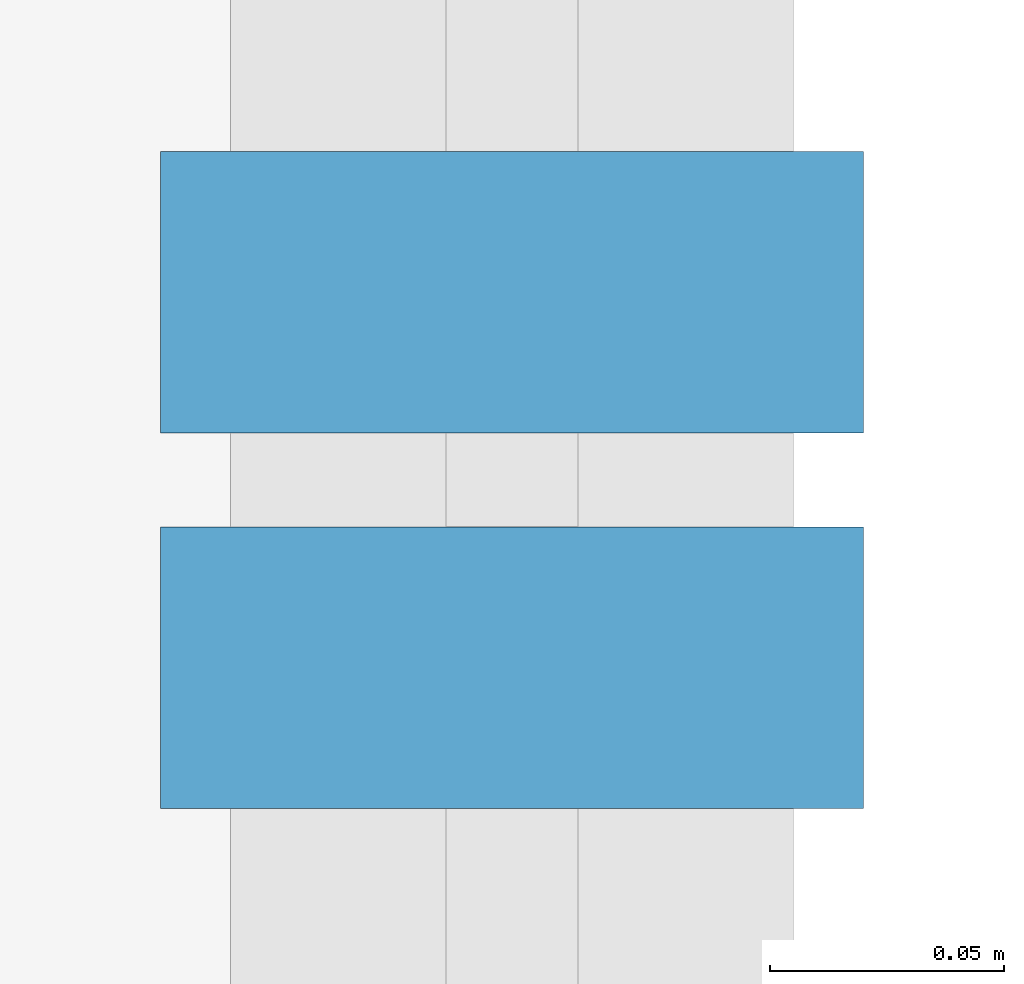
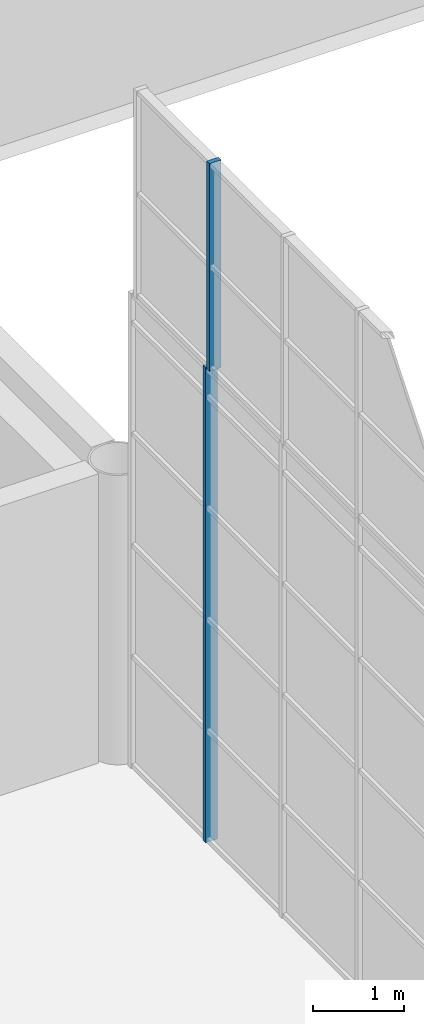
# One storey, part 22 of 95: 2 members, 2 elements without a shape of their own.
"""IFC4 building model written with IfcOpenShell, lengths in metres."""

from ifc_helpers import new_model, si_unit, direction, frame, origin, origin_2d, place, context, subcontext, project, spatial, rectangle, extrude, material, layer, layer_set, material_profile, profile_set, type_object, element, aggregate, save


model = new_model("IFC4")

# Units and contexts
model_context = context("Model", 3, precision=1e-05, world=origin(), true_north=direction((0.0, 1.0)))
body_context = subcontext(model_context, "Body", "Model", "MODEL_VIEW")
ifc_project = project(units=[si_unit("LENGTHUNIT", "METRE"), si_unit("AREAUNIT", "SQUARE_METRE"), si_unit("VOLUMEUNIT", "CUBIC_METRE"), si_unit("PLANEANGLEUNIT", "RADIAN"), si_unit("MASSUNIT", "GRAM", prefix="KILO")], contexts=[model_context])

# Site, building, storey
site_placement = place(None, origin())
site = spatial("IfcSite", under=ifc_project, at=site_placement, CompositionType="ELEMENT")
building_placement = place(site_placement, origin())
building = spatial("IfcBuilding", under=site, at=building_placement, Name="Magnolia Steps Interchange", CompositionType="ELEMENT")
storey_placement = place(building_placement, frame((0.0, 0.0, 4.800048828125)))
storey = spatial("IfcBuildingStorey", under=building, at=storey_placement, Name="L01", CompositionType="ELEMENT", Elevation=4.800048828125)

# Curtain wall, member
ifc_material_1 = material(Name="Powder-coated aluminium and glass", Category="aluminium")
ifc_layer_1 = layer(ifc_material_1, 0.14990234375)
ifc_layer_set_1 = layer_set([ifc_layer_1], Name="Glazed hall curtain wall")
curtain_wall_type_1 = type_object("IfcCurtainWallType", Name="Glazed hall curtain wall", PredefinedType="NOTDEFINED", material=ifc_layer_set_1)
curtain_wall_1_placement = place(storey_placement, origin())
curtain_wall_1 = element("IfcCurtainWall", 1, at=curtain_wall_1_placement, inside=storey, type_object=curtain_wall_type_1, Name="Hall glazing E3 L01", PredefinedType="NOTDEFINED")
ifc_material_2 = material(Name="White powder-coated aluminium", Category="aluminium")
ifc_material_profile = material_profile(ifc_material_2, rectangle(XDim=0.06005859375, YDim=0.14990234375, at=origin_2d()), Name="Aluminium mullion 60 x 150")
ifc_profile_set = profile_set([ifc_material_profile], Name="White powder-coated aluminium")
member_type = type_object("IfcMemberType", Name="Aluminium mullion 60 x 150", PredefinedType="MULLION", material=ifc_profile_set)
member_1_placement = place(storey_placement, frame((118.0, 72.760009765625, 0.0), z_axis=(0.0, 0.0, 1.0), x_axis=(0.0, 1.0, 0.0)))
member_1 = element("IfcMember", 2, at=member_1_placement, type_object=member_type, Name="CW1 mullion 6", PredefinedType="MULLION", context=body_context, shape_type="SweptSolid", body=[
    extrude(rectangle(XDim=0.06005859375, YDim=0.14990234375, at=origin_2d()), origin(), (0.0, 0.0, 1.0), 6.39990234375),
])
aggregate(curtain_wall_1, [member_1])

ifc_material_3 = material(Name="Powder-coated aluminium and glass", Category="aluminium")
ifc_layer_2 = layer(ifc_material_3, 0.1201171875)
ifc_layer_set_2 = layer_set([ifc_layer_2], Name="Hall clerestory curtain wall")
curtain_wall_type_2 = type_object("IfcCurtainWallType", Name="Hall clerestory curtain wall", PredefinedType="NOTDEFINED", material=ifc_layer_set_2)
curtain_wall_2_placement = place(storey_placement, origin())
curtain_wall_2 = element("IfcCurtainWall", 3, at=curtain_wall_2_placement, inside=storey, type_object=curtain_wall_type_2, Name="Hall clerestory E3", PredefinedType="NOTDEFINED")
member_2_placement = place(storey_placement, frame((118.0, 72.679931640625, 6.39990234375), z_axis=(0.0, 0.0, 1.0), x_axis=(0.0, 1.0, 0.0)))
member_2 = element("IfcMember", 4, at=member_2_placement, type_object=member_type, Name="CW6 mullion 6", PredefinedType="MULLION", context=body_context, shape_type="SweptSolid", body=[
    extrude(rectangle(XDim=0.06005859375, YDim=0.14990234375, at=origin_2d()), origin(), (0.0, 0.0, 1.0), 2.800048828125),
])
aggregate(curtain_wall_2, [member_2])

save(model, "model.ifc")
